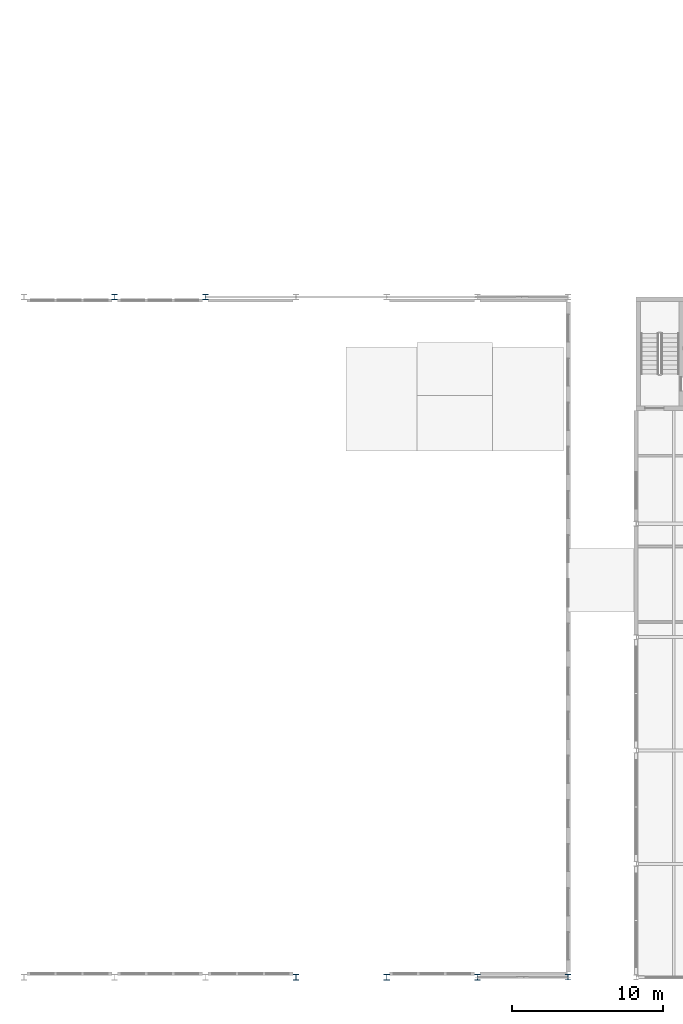
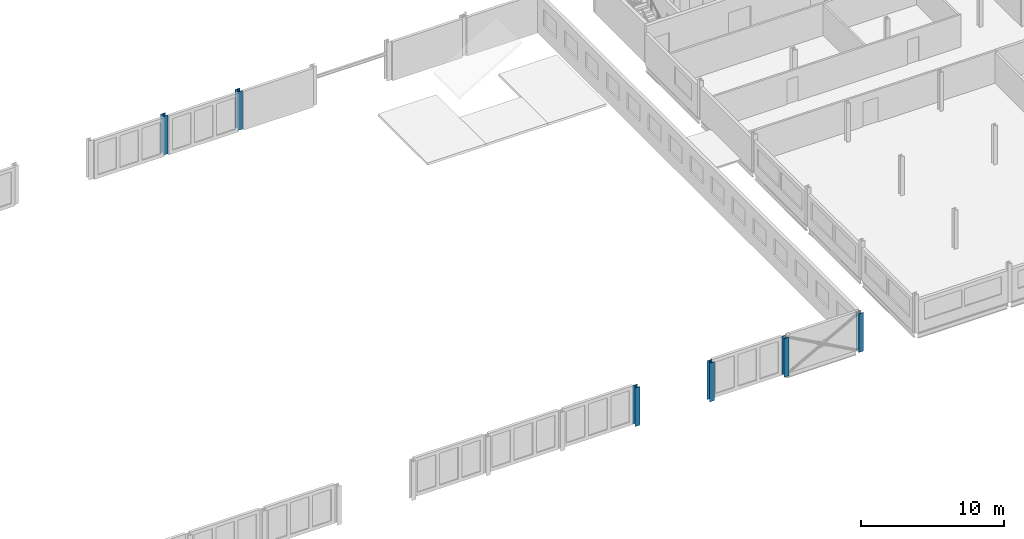
# One storey, part 4 of 198: 6 columns.
"""IFC4 building model written with IfcOpenShell, lengths in metres."""

import ifcopenshell
import ifcopenshell.guid

model = None  # the IFC model being written
_history = None  # IfcOwnerHistory: only IFC2X3 demands one
_inside = {}  # id of a spatial element -> (the spatial element, [elements in it])
_under = {}  # id of a project, library or spatial element -> (it, [spatial elements below it])
_declared = {}  # id of a project -> (the project, [libraries it declares])
_typed = {}  # id of a type object -> (the type object, [elements of that type])
_made_of = {}  # id of a material, layer set ... -> (it, [elements and type objects made of it])


def new_model(schema):
    """Start an empty IFC model of exactly this schema.

    Asked for "IFC4X3", IfcOpenShell would pick the latest addendum, in which some entities
    have other attributes; the version numbers below select the first issue.
    IFC2X3 requires an IfcOwnerHistory on every rooted entity: one is made here for all.
    """
    global model, _history
    if schema == "IFC4X3":
        model = ifcopenshell.file(schema_version=(4, 3, 0, 0))
    else:
        model = ifcopenshell.file(schema=schema)
    _inside.clear()
    _under.clear()
    _declared.clear()
    _typed.clear()
    _made_of.clear()
    _history = None
    if model.schema == "IFC2X3":
        org = make("IfcOrganization", Name="unknown")
        user = make(
            "IfcPersonAndOrganization",
            ThePerson=make("IfcPerson", FamilyName="unknown"),
            TheOrganization=org,
        )
        app = make(
            "IfcApplication",
            ApplicationDeveloper=org,
            Version="unknown",
            ApplicationFullName="unknown",
            ApplicationIdentifier="unknown",
        )
        _history = make(
            "IfcOwnerHistory",
            OwningUser=user,
            OwningApplication=app,
            ChangeAction="ADDED",
            CreationDate=0,
        )
    return model


def make(cls, **values):
    """One entity of the class cls with the attributes given. An attribute that is None is left unset."""
    return model.create_entity(
        cls, **{name: value for name, value in values.items() if value is not None}
    )


def rooted(cls, **values):
    """An entity with a GlobalId (a new one), such as an element, a storey or a relation."""
    return make(cls, GlobalId=ifcopenshell.guid.new(), OwnerHistory=_history, **values)


def si_unit(unit_type, name, prefix=None):
    """IfcSIUnit, for example si_unit("LENGTHUNIT", "METRE", prefix="MILLI")."""
    return make("IfcSIUnit", UnitType=unit_type, Prefix=prefix, Name=name)


def assignment(units):
    """IfcUnitAssignment: the units of a project."""
    return None if units is None else make("IfcUnitAssignment", Units=units)


def point(xyz):
    """IfcCartesianPoint."""
    return None if xyz is None else make("IfcCartesianPoint", Coordinates=xyz)


def direction(xyz):
    """IfcDirection."""
    return None if xyz is None else make("IfcDirection", DirectionRatios=xyz)


def frame(location, z_axis=None, x_axis=None):
    """IfcAxis2Placement3D, a coordinate frame: its origin and axes. An axis left out is left unset."""
    return make(
        "IfcAxis2Placement3D",
        Location=point(location),
        Axis=direction(z_axis),
        RefDirection=direction(x_axis),
    )


def frame_2d(location, x_axis=None):
    """IfcAxis2Placement2D, a coordinate frame in the plane: its origin and x axis."""
    return make(
        "IfcAxis2Placement2D", Location=point(location), RefDirection=direction(x_axis)
    )


def origin():
    """The frame at (0, 0, 0) with its axes left unset."""
    return frame((0.0, 0.0, 0.0))


def origin_2d():
    """The frame at (0, 0) in the plane with its x axis left unset."""
    return frame_2d((0.0, 0.0))


def place(relative_to, where):
    """IfcLocalPlacement: puts the frame where relative to a parent placement (None: the world)."""
    return make(
        "IfcLocalPlacement", PlacementRelTo=relative_to, RelativePlacement=where
    )


def context(
    kind, dimensions, precision=None, world=None, true_north=None, identifier=None
):
    """IfcGeometricRepresentationContext, for example the 3D "Model" context."""
    return make(
        "IfcGeometricRepresentationContext",
        ContextIdentifier=identifier,
        ContextType=kind,
        CoordinateSpaceDimension=dimensions,
        Precision=precision,
        WorldCoordinateSystem=world,
        TrueNorth=true_north,
    )


def subcontext(parent, identifier, kind, view, scale=None):
    """IfcGeometricRepresentationSubContext, for example "Body" below "Model"."""
    return make(
        "IfcGeometricRepresentationSubContext",
        ContextIdentifier=identifier,
        ContextType=kind,
        ParentContext=parent,
        TargetScale=scale,
        TargetView=view,
    )


def project(units=None, contexts=None):
    """IfcProject with its units and contexts."""
    return rooted(
        "IfcProject",
        Name="project",
        RepresentationContexts=contexts,
        UnitsInContext=assignment(units),
    )


def spatial(cls, under=None, at=None, **own):
    """A site, building, storey or space (cls), placed at a placement, below another one or the project."""
    s = rooted(cls, ObjectPlacement=at, **own)
    if under is not None:
        _under.setdefault(under.id(), (under, []))[1].append(s)
    return s


def profile(cls, at=None, kind="AREA", **sizes):
    """A parametric profile (cls). Its sizes go by their IFC names, for example OverallWidth=200.0."""
    return make(cls, ProfileType=kind, Position=at, **sizes)


def i_section(**sizes):
    """IfcIShapeProfileDef."""
    return profile("IfcIShapeProfileDef", **sizes)


def extrude(swept, where, along, depth):
    """IfcExtrudedAreaSolid: the profile swept, set in the frame where, extruded along a direction by depth."""
    return make(
        "IfcExtrudedAreaSolid",
        SweptArea=swept,
        Position=where,
        ExtrudedDirection=direction(along),
        Depth=depth,
    )


def shape(context_of_items, identifier, shape_type, items):
    """IfcShapeRepresentation: the items that make up one representation, for example the "Body"."""
    return make(
        "IfcShapeRepresentation",
        ContextOfItems=context_of_items,
        RepresentationIdentifier=identifier,
        RepresentationType=shape_type,
        Items=items,
    )


def material(Name=None, Category=None):
    """IfcMaterial."""
    return make("IfcMaterial", Name=Name, Category=Category)


def material_profile(
    of_material, cross_section, Name=None, Category=None, Priority=None
):
    """IfcMaterialProfile: a cross section and its material."""
    return make(
        "IfcMaterialProfile",
        Name=Name,
        Material=of_material,
        Profile=cross_section,
        Priority=Priority,
        Category=Category,
    )


def profile_set(profiles, Name=None, composite=None):
    """IfcMaterialProfileSet."""
    return make(
        "IfcMaterialProfileSet",
        Name=Name,
        MaterialProfiles=profiles,
        CompositeProfile=composite,
    )


def made_of(thing, what):
    """Note that an element or type object is made of a material, layer set ...; save() writes the relation."""
    if what is not None:
        _made_of.setdefault(what.id(), (what, []))[1].append(thing)
    return thing


def type_object(cls, material=None, **own):
    """A type object (cls), such as IfcWallType, which elements share."""
    return made_of(rooted(cls, **own), material)


def element(
    cls,
    number,
    at=None,
    inside=None,
    cuts=None,
    type_object=None,
    material=None,
    context=None,
    identifier="Body",
    shape_type=None,
    held_by="IfcProductDefinitionShape",
    body=None,
    shapes=None,
    **own,
):
    """One element of the class cls, such as IfcWall. Its Tag is "e" and its number.

    at: its placement. inside: the storey or other place that contains it. cuts: it is an
    opening in that element (IfcRelVoidsElement). A single representation is given by context,
    identifier, shape_type and body (its items); several are given by shapes. held_by: the class
    of the entity that holds the representations. save() writes the other relations.
    """
    e = rooted(cls, Tag="e%d" % number, ObjectPlacement=at, **own)
    if body is not None:
        shapes = [shape(context, identifier, shape_type, body)]
    if shapes is not None:
        e.Representation = make(held_by, Representations=shapes)
    if inside is not None:
        _inside.setdefault(inside.id(), (inside, []))[1].append(e)
    if cuts is not None:
        rooted(
            "IfcRelVoidsElement", RelatingBuildingElement=cuts, RelatedOpeningElement=e
        )
    if type_object is not None:
        _typed.setdefault(type_object.id(), (type_object, []))[1].append(e)
    return made_of(e, material)


def aggregate(whole, parts):
    """IfcRelAggregates: a whole, such as a stair, and the parts it consists of."""
    return rooted("IfcRelAggregates", RelatingObject=whole, RelatedObjects=parts)


def save(model, path):
    """Write the relations noted so far, then the file.

    IfcRelAggregates (storeys below a building ...), IfcRelContainedInSpatialStructure (elements
    in a storey), IfcRelDefinesByType, IfcRelAssociatesMaterial and IfcRelDeclares: one each for
    every whole, place, type object, material and project.
    """
    for whole, parts in _under.values():
        aggregate(whole, parts)
    for where, things in _inside.values():
        rooted(
            "IfcRelContainedInSpatialStructure",
            RelatedElements=things,
            RelatingStructure=where,
        )
    for kind, things in _typed.values():
        rooted("IfcRelDefinesByType", RelatedObjects=things, RelatingType=kind)
    for what, things in _made_of.values():
        rooted("IfcRelAssociatesMaterial", RelatedObjects=things, RelatingMaterial=what)
    for by, libraries in _declared.values():
        rooted("IfcRelDeclares", RelatingContext=by, RelatedDefinitions=libraries)
    model.write(path)


model = new_model("IFC4")

# Units and contexts
model_context = context("Model", 3, precision=1e-05, world=origin(), true_north=direction((0.0, 1.0)))
body_context = subcontext(model_context, "Body", "Model", "MODEL_VIEW")
ifc_project = project(units=[si_unit("LENGTHUNIT", "METRE"), si_unit("AREAUNIT", "SQUARE_METRE"), si_unit("VOLUMEUNIT", "CUBIC_METRE"), si_unit("PLANEANGLEUNIT", "RADIAN"), si_unit("MASSUNIT", "GRAM", prefix="KILO")], contexts=[model_context])

# Site, building, storey
site_placement = place(None, origin())
site = spatial("IfcSite", under=ifc_project, at=site_placement, CompositionType="ELEMENT")
building_placement = place(site_placement, origin())
building = spatial("IfcBuilding", under=site, at=building_placement, Name="Parallax Yard Mobility Hub", CompositionType="ELEMENT")
storey_placement = place(building_placement, frame((0.0, 0.0, 6.60009765625)))
storey = spatial("IfcBuildingStorey", under=building, at=storey_placement, Name="L02", CompositionType="ELEMENT", Elevation=6.60009765625)

# Columns
ifc_material = material(Name="Steel ASTM A992", Category="steel")
ifc_material_profile = material_profile(ifc_material, i_section(OverallWidth=0.373046875, OverallDepth=0.367919921875, WebThickness=0.014892578125, FlangeThickness=0.02392578125, FilletRadius=0.01513671875, at=origin_2d()), Name="W360x179")
ifc_profile_set = profile_set([ifc_material_profile], Name="Steel ASTM A992")
column_type = type_object("IfcColumnType", Name="W360x179 column", PredefinedType="COLUMN", material=ifc_profile_set)
for number, where, z_axis, x_axis, name in (
    (1, (63.0, 52.5, 0.0), (0.0, 0.0, 1.0), (1.0, 0.0, 0.0), "Column C7 level L02 at F10/H of bus and taxi deck"),
    (2, (69.0, 52.5, 0.0), (0.0, 0.0, 1.0), (1.0, 0.0, 0.0), "Column C7 level L02 at F11/H of bus and taxi deck"),
    (3, (75.0, 7.5, 0.0), (0.0, 0.0, 1.0), (1.0, 0.0, 0.0), "Column C7 level L02 at F12/B of bus and taxi deck"),
    (4, (81.0, 7.5, 0.0), (0.0, 0.0, 1.0), (1.0, 0.0, 0.0), "Column C7 level L02 at F13/B of bus and taxi deck"),
    (5, (87.0, 7.5, 0.0), (0.0, 0.0, 1.0), (1.0, 0.0, 0.0), "Column C7 level L02 at F14/B of bus and taxi deck"),
    (6, (93.0, 7.5, 0.0), (0.0, 0.0, 1.0), (1.0, 0.0, 0.0), "Column C7 level L02 at F15/B of bus and taxi deck"),
):
    element("IfcColumn", number, at=place(storey_placement, frame(where, z_axis=z_axis, x_axis=x_axis)), inside=storey, type_object=column_type, Name=name, PredefinedType="COLUMN", context=body_context, shape_type="SweptSolid", body=[
        extrude(i_section(OverallWidth=0.373046875, OverallDepth=0.367919921875, WebThickness=0.014892578125, FlangeThickness=0.02392578125, FilletRadius=0.01513671875, at=origin_2d()), origin(), (0.0, 0.0, 1.0), 3.2998046875),
    ])

save(model, "model.ifc")
